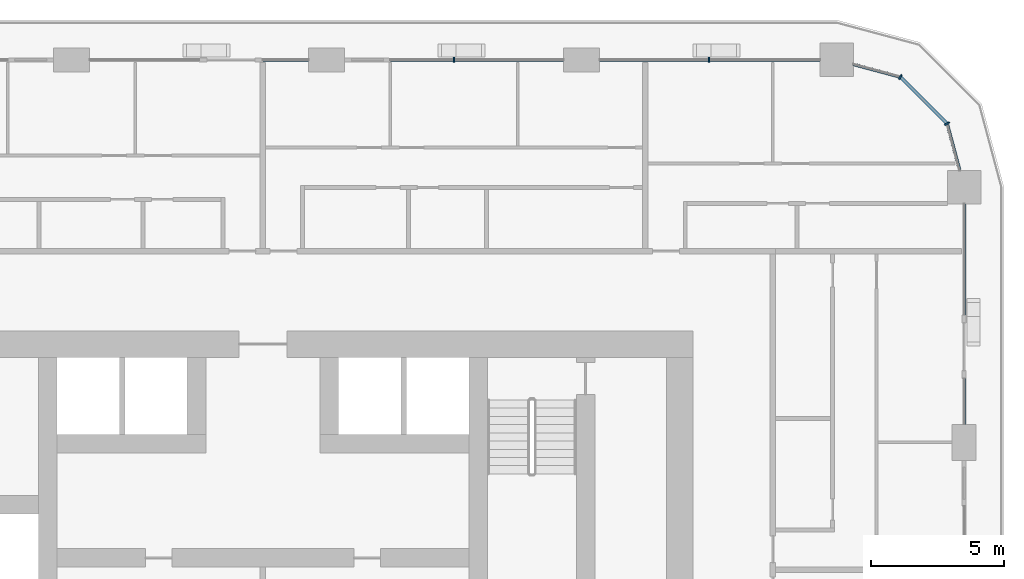
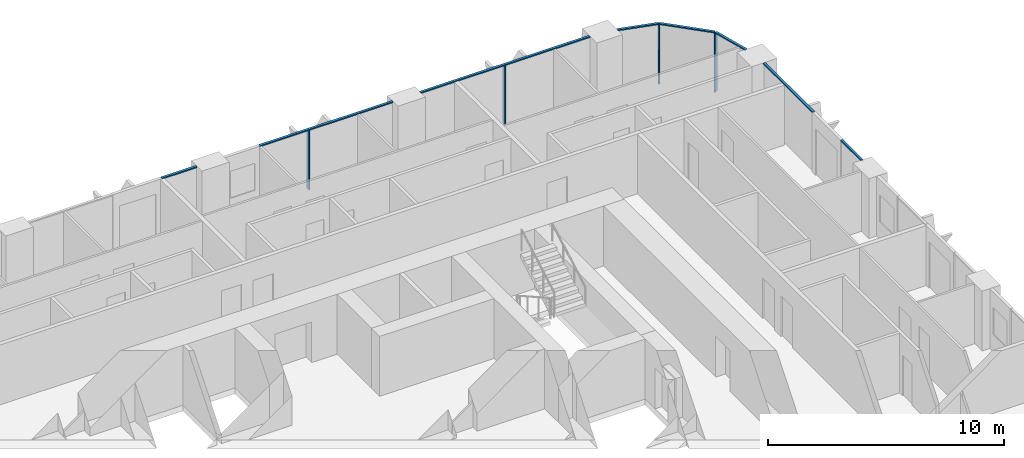
# One storey, part 6 of 21: 12 members, 5 elements without a shape of their own.
"""IFC4 building model written with IfcOpenShell, lengths in metres."""

from ifc_helpers import new_model, si_unit, direction, frame, origin, origin_2d, place, context, subcontext, project, spatial, rectangle, extrude, material, layer, layer_set, material_profile, profile_set, type_object, element, aggregate, save


model = new_model("IFC4")

# Units and contexts
model_context = context("Model", 3, precision=1e-05, world=origin(), true_north=direction((0.0, 1.0)))
body_context = subcontext(model_context, "Body", "Model", "MODEL_VIEW")
ifc_project = project(units=[si_unit("LENGTHUNIT", "METRE"), si_unit("AREAUNIT", "SQUARE_METRE"), si_unit("VOLUMEUNIT", "CUBIC_METRE"), si_unit("PLANEANGLEUNIT", "RADIAN"), si_unit("MASSUNIT", "GRAM", prefix="KILO")], contexts=[model_context])

# Site, building, storey
site_placement = place(None, origin())
site = spatial("IfcSite", under=ifc_project, at=site_placement, CompositionType="ELEMENT")
building_placement = place(site_placement, origin())
building = spatial("IfcBuilding", under=site, at=building_placement, Name="Madar Terraces", CompositionType="ELEMENT")
storey_placement = place(building_placement, frame((0.0, 0.0, 50.39990234375)))
storey = spatial("IfcBuildingStorey", under=building, at=storey_placement, Name="L12", CompositionType="ELEMENT", Elevation=50.39990234375)

# Curtain wall, member
ifc_material_1 = material(Name="Glass, ceramic frit dark grey, with black aluminium frame", Category="aluminium")
ifc_layer = layer(ifc_material_1, 0.199951171875)
ifc_layer_set = layer_set([ifc_layer], Name="Facade curtain wall, fritted glass")
curtain_wall_type = type_object("IfcCurtainWallType", Name="Facade curtain wall, fritted glass", PredefinedType="NOTDEFINED", material=ifc_layer_set)
curtain_wall_1_placement = place(storey_placement, origin())
curtain_wall_1 = element("IfcCurtainWall", 1, at=curtain_wall_1_placement, inside=storey, type_object=curtain_wall_type, Name="Outer skin curtain wall north bay 1", PredefinedType="NOTDEFINED")
ifc_material_2 = material(Name="Aluminium, black anodised", Category="aluminium")
ifc_material_profile_1 = material_profile(ifc_material_2, rectangle(XDim=0.199951171875, YDim=0.06005859375, at=origin_2d()), Name="Facade mullion 60x200")
ifc_profile_set_1 = profile_set([ifc_material_profile_1], Name="Aluminium, black anodised")
member_type_1 = type_object("IfcMemberType", Name="Facade mullion 60x200", PredefinedType="MULLION", material=ifc_profile_set_1)
member_1_placement = place(storey_placement, frame((48.0, 48.0, 0.0), z_axis=(0.0, 0.0, 1.0), x_axis=(0.0, -1.0, 0.0)))
member_1 = element("IfcMember", 2, at=member_1_placement, type_object=member_type_1, Name="Mullion 1", PredefinedType="MULLION", context=body_context, shape_type="SweptSolid", body=[
    extrude(rectangle(XDim=0.199951171875, YDim=0.06005859375, at=origin_2d()), origin(), (0.0, 0.0, 1.0), 3.0400390625),
])

curtain_wall_2_placement = place(storey_placement, origin())
curtain_wall_2 = element("IfcCurtainWall", 3, at=curtain_wall_2_placement, inside=storey, type_object=curtain_wall_type, Name="Outer skin curtain wall north bay 2", PredefinedType="NOTDEFINED")
member_2_placement = place(storey_placement, frame((38.39990234375, 48.0, 0.0), z_axis=(0.0, 0.0, 1.0), x_axis=(0.0, -1.0, 0.0)))
member_2 = element("IfcMember", 4, at=member_2_placement, type_object=member_type_1, Name="Mullion 1", PredefinedType="MULLION", context=body_context, shape_type="SweptSolid", body=[
    extrude(rectangle(XDim=0.199951171875, YDim=0.06005859375, at=origin_2d()), origin(), (0.0, 0.0, 1.0), 3.0400390625),
])

# Curtain wall, members
curtain_wall_3_placement = place(storey_placement, origin())
curtain_wall_3 = element("IfcCurtainWall", 5, at=curtain_wall_3_placement, inside=storey, type_object=curtain_wall_type, Name="Outer skin curtain wall north-east corner", PredefinedType="NOTDEFINED")
member_3_placement = place(storey_placement, frame((56.95703125, 45.60009765625, 0.0), z_axis=(0.0, 0.0, 1.0), x_axis=(-0.866025409797, -0.499999989586, 0.0)))
member_3 = element("IfcMember", 6, at=member_3_placement, type_object=member_type_1, Name="Mullion 1", PredefinedType="MULLION", context=body_context, shape_type="SweptSolid", body=[
    extrude(rectangle(XDim=0.199951171875, YDim=0.06005859375, at=origin_2d()), origin(), (0.0, 0.0, 1.0), 3.0400390625),
])
member_4_placement = place(storey_placement, frame((55.199951171875, 47.35693359375, 0.0), z_axis=(0.0, 0.0, 1.0), x_axis=(-0.499999989586, -0.866025409797, 0.0)))
member_4 = element("IfcMember", 7, at=member_4_placement, type_object=member_type_1, Name="Mullion 2", PredefinedType="MULLION", context=body_context, shape_type="SweptSolid", body=[
    extrude(rectangle(XDim=0.199951171875, YDim=0.06005859375, at=origin_2d()), origin(), (0.0, 0.0, 1.0), 3.0400390625),
])

curtain_wall_4_placement = place(storey_placement, origin())
curtain_wall_4 = element("IfcCurtainWall", 8, at=curtain_wall_4_placement, inside=storey, type_object=curtain_wall_type, Name="Outer skin curtain wall east bay 4", PredefinedType="NOTDEFINED")
ifc_material_3 = material(Name="Aluminium, black anodised", Category="aluminium")
ifc_material_profile_2 = material_profile(ifc_material_3, rectangle(XDim=0.1201171875, YDim=0.06005859375, at=origin_2d()), Name="Facade transom 60x120")
ifc_profile_set_2 = profile_set([ifc_material_profile_2], Name="Aluminium, black anodised")
member_type_2 = type_object("IfcMemberType", Name="Facade transom 60x120", PredefinedType="USERDEFINED", material=ifc_profile_set_2)
member_5_placement = place(storey_placement, frame((57.60009765625, 34.27490234375, 3.070068359375), z_axis=(0.0, 1.0, 0.0), x_axis=(-1.0, 0.0, 0.0)))
member_5 = element("IfcMember", 9, at=member_5_placement, type_object=member_type_2, Name="Transom 1", ObjectType="TRANSOM", PredefinedType="USERDEFINED", context=body_context, shape_type="SweptSolid", body=[
    extrude(rectangle(XDim=0.1201171875, YDim=0.06005859375, at=origin_2d()), origin(), (0.0, 0.0, 1.0), 1.72509765625),
])
member_6_placement = place(storey_placement, frame((57.60009765625, 38.39990234375, 3.070068359375), z_axis=(0.0, 1.0, 0.0), x_axis=(-1.0, 0.0, 0.0)))
member_6 = element("IfcMember", 10, at=member_6_placement, type_object=member_type_2, Name="Transom 2", ObjectType="TRANSOM", PredefinedType="USERDEFINED", context=body_context, shape_type="SweptSolid", body=[
    extrude(rectangle(XDim=0.1201171875, YDim=0.06005859375, at=origin_2d()), origin(), (0.0, 0.0, 1.0), 4.175048828125),
])
aggregate(curtain_wall_4, [member_5, member_6])

# Member
member_7_placement = place(storey_placement, frame((52.175048828125, 48.0, 3.070068359375), z_axis=(-1.0, 0.0, 0.0), x_axis=(0.0, -1.0, 0.0)))
member_7 = element("IfcMember", 11, at=member_7_placement, type_object=member_type_2, Name="Transom 1", ObjectType="TRANSOM", PredefinedType="USERDEFINED", context=body_context, shape_type="SweptSolid", body=[
    extrude(rectangle(XDim=0.1201171875, YDim=0.06005859375, at=origin_2d()), origin(), (0.0, 0.0, 1.0), 8.300048828125),
])

aggregate(curtain_wall_1, [member_1, member_7])

member_8_placement = place(storey_placement, frame((42.52490234375, 48.0, 3.070068359375), z_axis=(-1.0, 0.0, 0.0), x_axis=(0.0, -1.0, 0.0)))
member_8 = element("IfcMember", 12, at=member_8_placement, type_object=member_type_2, Name="Transom 1", ObjectType="TRANSOM", PredefinedType="USERDEFINED", context=body_context, shape_type="SweptSolid", body=[
    extrude(rectangle(XDim=0.1201171875, YDim=0.06005859375, at=origin_2d()), origin(), (0.0, 0.0, 1.0), 6.52490234375),
])

aggregate(curtain_wall_2, [member_2, member_8])

# Curtain wall, member
curtain_wall_5_placement = place(storey_placement, origin())
curtain_wall_5 = element("IfcCurtainWall", 13, at=curtain_wall_5_placement, inside=storey, type_object=curtain_wall_type, Name="Outer skin curtain wall north bay 3", PredefinedType="NOTDEFINED")
member_9_placement = place(storey_placement, frame((32.925048828125, 48.0, 3.070068359375), z_axis=(-1.0, 0.0, 0.0), x_axis=(0.0, -1.0, 0.0)))
member_9 = element("IfcMember", 14, at=member_9_placement, type_object=member_type_2, Name="Transom 1", ObjectType="TRANSOM", PredefinedType="USERDEFINED", context=body_context, shape_type="SweptSolid", body=[
    extrude(rectangle(XDim=0.1201171875, YDim=0.06005859375, at=origin_2d()), origin(), (0.0, 0.0, 1.0), 1.72509765625),
])
aggregate(curtain_wall_5, [member_9])

# Member
member_10_placement = place(storey_placement, frame((57.4326171875, 43.824951171875, 3.070068359375), z_axis=(-0.258898097903, 0.965904640688, 0.0), x_axis=(-0.965904640688, -0.258898097903, 0.0)))
member_10 = element("IfcMember", 15, at=member_10_placement, type_object=member_type_2, Name="Transom 1", ObjectType="TRANSOM", PredefinedType="USERDEFINED", context=body_context, shape_type="SweptSolid", body=[
    extrude(rectangle(XDim=0.1201171875, YDim=0.06005859375, at=origin_2d()), origin(), (0.0, 0.0, 1.0), 1.8076171875),
])

member_11_placement = place(storey_placement, frame((56.935791015625, 45.62109375, 3.070068359375), z_axis=(-0.707106781187, 0.707106781187, 0.0), x_axis=(-0.707106781187, -0.707106781187, 0.0)))
member_11 = element("IfcMember", 16, at=member_11_placement, type_object=member_type_2, Name="Transom 2", ObjectType="TRANSOM", PredefinedType="USERDEFINED", context=body_context, shape_type="SweptSolid", body=[
    extrude(rectangle(XDim=0.1201171875, YDim=0.06005859375, at=origin_2d()), origin(), (0.0, 0.0, 1.0), 2.4248046875),
])

member_12_placement = place(storey_placement, frame((55.171142578125, 47.36474609375, 3.070068359375), z_axis=(-0.965938406667, 0.258772089929, 0.0), x_axis=(-0.258772089929, -0.965938406667, 0.0)))
member_12 = element("IfcMember", 17, at=member_12_placement, type_object=member_type_2, Name="Transom 3", ObjectType="TRANSOM", PredefinedType="USERDEFINED", context=body_context, shape_type="SweptSolid", body=[
    extrude(rectangle(XDim=0.1201171875, YDim=0.06005859375, at=origin_2d()), origin(), (0.0, 0.0, 1.0), 1.8076171875),
])

aggregate(curtain_wall_3, [member_3, member_10, member_4, member_11, member_12])

save(model, "model.ifc")
